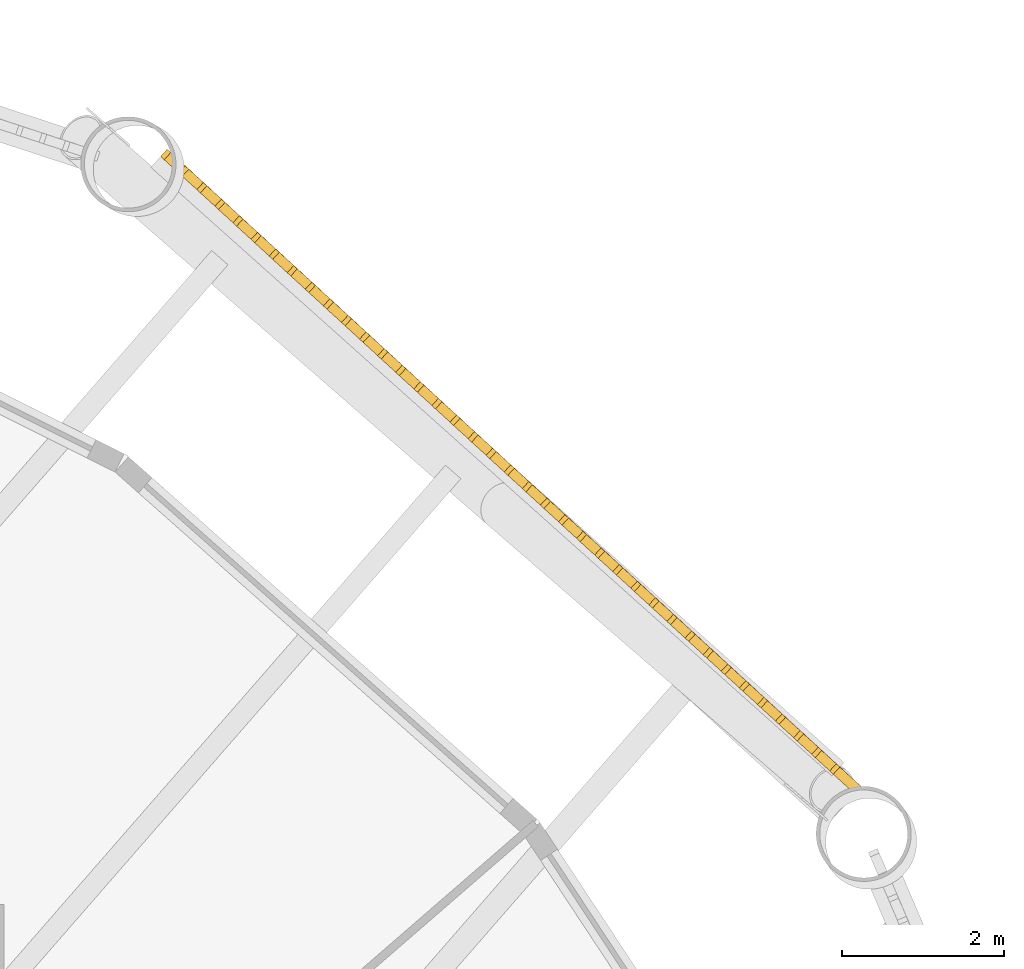
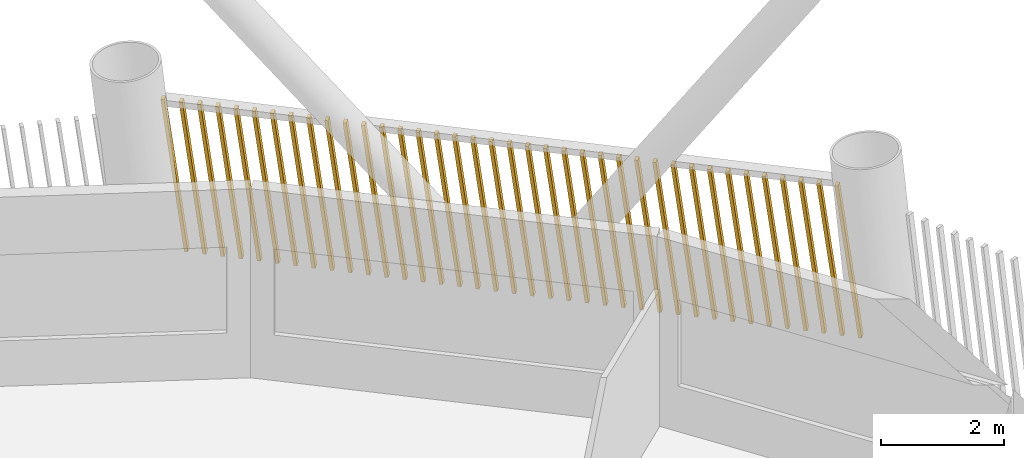
# One storey, part 20 of 21: 1 shading device.
"""IFC4 building model written with IfcOpenShell, lengths in metres."""

from ifc_helpers import new_model, si_unit, direction, frame, frame_2d, origin, place, context, subcontext, project, spatial, rectangle, composite_profile, extrude, material, type_object, element, save


model = new_model("IFC4")

# Units and contexts
model_context = context("Model", 3, precision=1e-05, world=origin(), true_north=direction((0.0, 1.0)))
body_context = subcontext(model_context, "Body", "Model", "MODEL_VIEW")
ifc_project = project(units=[si_unit("LENGTHUNIT", "METRE"), si_unit("AREAUNIT", "SQUARE_METRE"), si_unit("VOLUMEUNIT", "CUBIC_METRE"), si_unit("PLANEANGLEUNIT", "RADIAN"), si_unit("MASSUNIT", "GRAM", prefix="KILO")], contexts=[model_context])

# Site, building, storey
site_placement = place(None, origin())
site = spatial("IfcSite", under=ifc_project, at=site_placement, CompositionType="ELEMENT")
building_placement = place(site_placement, origin())
building = spatial("IfcBuilding", under=site, at=building_placement, Name="Tarsis Ring Headquarters", CompositionType="ELEMENT")
storey_placement = place(building_placement, frame((0.0, 0.0, 100.60009765625)))
storey = spatial("IfcBuildingStorey", under=building, at=storey_placement, Name="L22", CompositionType="ELEMENT", Elevation=100.60009765625)

# Shading device
ifc_material = material(Name="Terracotta baguette", Category="masonry")
shading_device_type = type_object("IfcShadingDeviceType", Name="Terracotta baguette screen", PredefinedType="USERDEFINED", material=ifc_material)
shading_device_placement = place(storey_placement, frame((23.60400390625, 17.384765625, 0.0), z_axis=(0.0, 0.0, 1.0), x_axis=(-0.736494845361, 0.676440586001, 0.0)))
element("IfcShadingDevice", 1, at=shading_device_placement, inside=storey, type_object=shading_device_type, Name="Baguette screen L22-12", ObjectType="Terracotta baguette screen", PredefinedType="USERDEFINED", context=body_context, shape_type="SweptSolid", body=[
    extrude(composite_profile([rectangle(XDim=0.06005859375, YDim=0.1201171875, at=frame_2d((0.030029296875, 0.0))), rectangle(XDim=0.06005859375, YDim=0.1201171875, at=frame_2d((0.33251953125, 0.0))), rectangle(XDim=0.06005859375, YDim=0.1201171875, at=frame_2d((0.634765625, 0.0))), rectangle(XDim=0.06005859375, YDim=0.1201171875, at=frame_2d((0.937255859375, 0.0))), rectangle(XDim=0.06005859375, YDim=0.1201171875, at=frame_2d((1.239501953125, 0.0))), rectangle(XDim=0.06005859375, YDim=0.1201171875, at=frame_2d((1.5419921875, 0.0))), rectangle(XDim=0.06005859375, YDim=0.1201171875, at=frame_2d((1.844482421875, 0.0))), rectangle(XDim=0.06005859375, YDim=0.1201171875, at=frame_2d((2.146728515625, 0.0))), rectangle(XDim=0.06005859375, YDim=0.1201171875, at=frame_2d((2.44921875, 0.0))), rectangle(XDim=0.06005859375, YDim=0.1201171875, at=frame_2d((2.751708984375, 0.0))), rectangle(XDim=0.06005859375, YDim=0.1201171875, at=frame_2d((3.053955078125, 0.0))), rectangle(XDim=0.06005859375, YDim=0.1201171875, at=frame_2d((3.3564453125, 0.0))), rectangle(XDim=0.06005859375, YDim=0.1201171875, at=frame_2d((3.65869140625, 0.0))), rectangle(XDim=0.06005859375, YDim=0.1201171875, at=frame_2d((3.961181640625, 0.0))), rectangle(XDim=0.06005859375, YDim=0.1201171875, at=frame_2d((4.263671875, 0.0))), rectangle(XDim=0.06005859375, YDim=0.1201171875, at=frame_2d((4.56591796875, 0.0))), rectangle(XDim=0.06005859375, YDim=0.1201171875, at=frame_2d((4.868408203125, 0.0))), rectangle(XDim=0.06005859375, YDim=0.1201171875, at=frame_2d((5.1708984375, 0.0))), rectangle(XDim=0.06005859375, YDim=0.1201171875, at=frame_2d((5.47314453125, 0.0))), rectangle(XDim=0.06005859375, YDim=0.1201171875, at=frame_2d((5.775634765625, 0.0))), rectangle(XDim=0.06005859375, YDim=0.1201171875, at=frame_2d((6.077880859375, 0.0))), rectangle(XDim=0.06005859375, YDim=0.1201171875, at=frame_2d((6.38037109375, 0.0))), rectangle(XDim=0.06005859375, YDim=0.1201171875, at=frame_2d((6.682861328125, 0.0))), rectangle(XDim=0.06005859375, YDim=0.1201171875, at=frame_2d((6.985107421875, 0.0))), rectangle(XDim=0.06005859375, YDim=0.1201171875, at=frame_2d((7.28759765625, 0.0))), rectangle(XDim=0.06005859375, YDim=0.1201171875, at=frame_2d((7.590087890625, 0.0))), rectangle(XDim=0.06005859375, YDim=0.1201171875, at=frame_2d((7.892333984375, 0.0))), rectangle(XDim=0.06005859375, YDim=0.1201171875, at=frame_2d((8.19482421875, 0.0))), rectangle(XDim=0.06005859375, YDim=0.1201171875, at=frame_2d((8.4970703125, 0.0))), rectangle(XDim=0.06005859375, YDim=0.1201171875, at=frame_2d((8.799560546875, 0.0))), rectangle(XDim=0.06005859375, YDim=0.1201171875, at=frame_2d((9.10205078125, 0.0))), rectangle(XDim=0.06005859375, YDim=0.1201171875, at=frame_2d((9.404296875, 0.0))), rectangle(XDim=0.06005859375, YDim=0.1201171875, at=frame_2d((9.706787109375, 0.0))), rectangle(XDim=0.06005859375, YDim=0.1201171875, at=frame_2d((10.00927734375, 0.0))), rectangle(XDim=0.06005859375, YDim=0.1201171875, at=frame_2d((10.3115234375, 0.0))), rectangle(XDim=0.06005859375, YDim=0.1201171875, at=frame_2d((10.614013671875, 0.0))), rectangle(XDim=0.06005859375, YDim=0.1201171875, at=frame_2d((10.916259765625, 0.0))), rectangle(XDim=0.06005859375, YDim=0.1201171875, at=frame_2d((11.21875, 0.0)))]), origin(), (0.131505404137, 0.000895235263, 0.991315049435), 2.978271484375),
])

save(model, "model.ifc")
